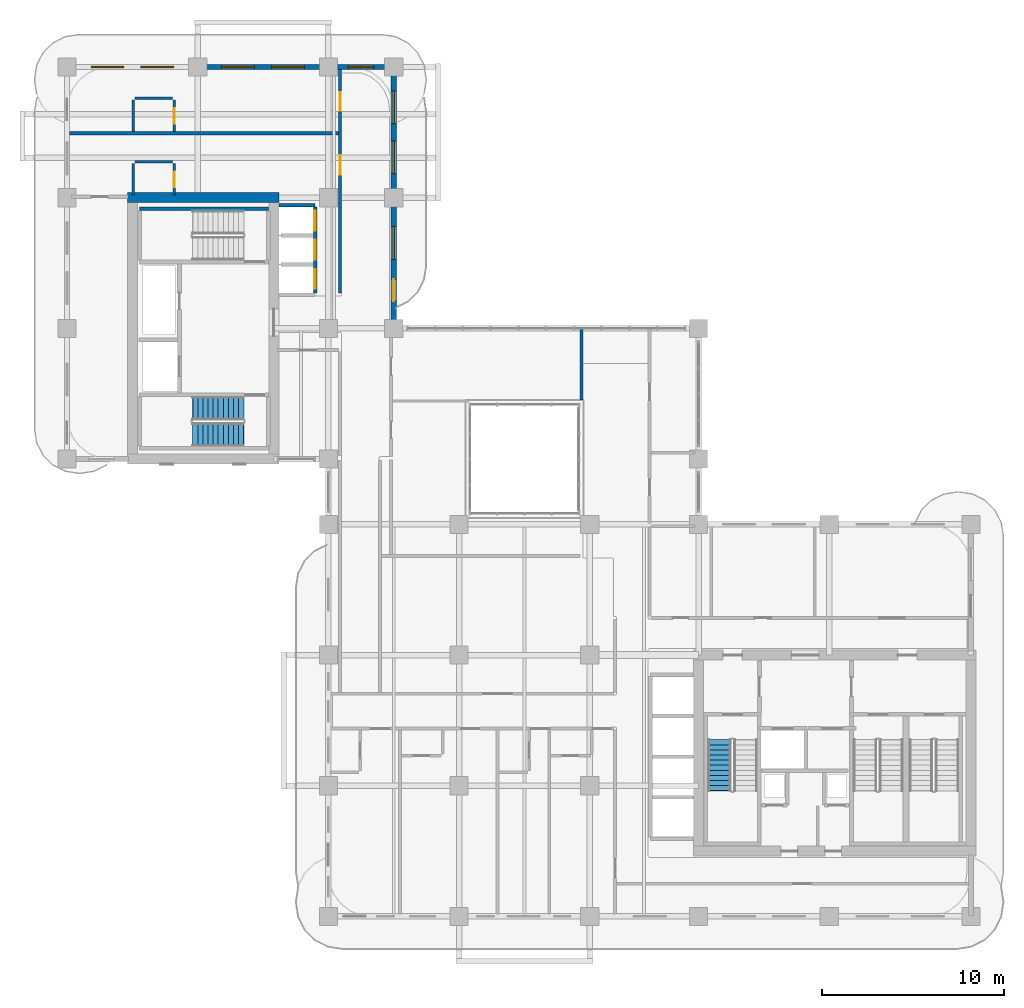
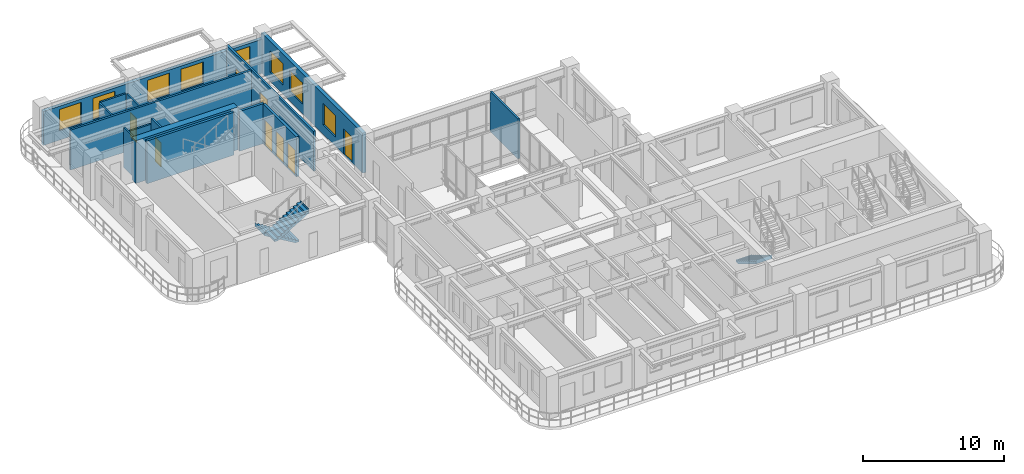
# One storey, part 15 of 20: 15 walls, 8 doors, 8 windows, 3 stair flights, 16 openings, 2 elements without a shape of their own.
"""IFC4 building model written with IfcOpenShell, lengths in metres."""

from ifc_helpers import new_model, si_unit, derived_unit, direction, frame, frame_2d, origin, place, context, subcontext, project, spatial, polyline, rectangle, outline, extrude, source, transform, mapped, material, layer, layer_set, type_object, type_shapes, element, fill, aggregate, save


model = new_model("IFC4")

# Units and contexts
model_context = context("Model", 3, precision=1e-05, world=origin(), true_north=direction((0.0, 1.0)))
body_context = subcontext(model_context, "Body", "Model", "MODEL_VIEW")
ifc_project = project(units=[si_unit("LENGTHUNIT", "METRE"), si_unit("AREAUNIT", "SQUARE_METRE"), si_unit("VOLUMEUNIT", "CUBIC_METRE"), si_unit("PLANEANGLEUNIT", "RADIAN"), si_unit("MASSUNIT", "GRAM", prefix="KILO"), si_unit("THERMODYNAMICTEMPERATUREUNIT", "KELVIN"), si_unit("POWERUNIT", "WATT"), derived_unit("THERMALTRANSMITTANCEUNIT", [(si_unit("POWERUNIT", "WATT"), 1), (si_unit("AREAUNIT", "SQUARE_METRE"), -1), (si_unit("THERMODYNAMICTEMPERATUREUNIT", "KELVIN"), -1)])], contexts=[model_context])

# Site, building, storey
site_placement = place(None, origin())
site = spatial("IfcSite", under=ifc_project, at=site_placement, CompositionType="ELEMENT")
building_placement = place(site_placement, origin())
building = spatial("IfcBuilding", under=site, at=building_placement, Name="Zahravan Archway Hotel and Residences", CompositionType="ELEMENT")
storey_placement = place(building_placement, frame((0.0, 0.0, 119.199951171875)))
storey = spatial("IfcBuildingStorey", under=building, at=storey_placement, Name="L29", CompositionType="ELEMENT", Elevation=119.199951171875)

# Wall
ifc_material_1 = material(Name="Concrete C70/85", Category="concrete")
ifc_layer_1 = layer(ifc_material_1, 0.550048828125, Name="Concrete C70/85", Category="concrete")
ifc_layer_set_1 = layer_set([ifc_layer_1], Name="Concrete C70/85")
wall_type_1 = type_object("IfcWallType", Name="CW-CORE-550", PredefinedType="SHEAR", material=ifc_layer_set_1)
wall_1_placement = place(storey_placement, frame((3.324951171875, 39.60009765625, 0.0), z_axis=(0.0, 0.0, 1.0), x_axis=(1.0, 0.0, 0.0)))
element("IfcWall", 1, at=wall_1_placement, inside=storey, type_object=wall_type_1, Name="L29 Core B Shear N Wall 550 mm", PredefinedType="SHEAR", context=body_context, shape_type="SweptSolid", body=[
    extrude(rectangle(XDim=8.35009765625, YDim=0.550048828125, at=frame_2d((4.175048828125, 0.0))), origin(), (0.0, 0.0, 1.0), 3.699951171875),
])

# Wall, openings, windows
ifc_material_2 = material(Name="Honed Red-Ochre Sandstone & Insulated Block", Category="masonry")
ifc_layer_2 = layer(ifc_material_2, 0.280029296875, Name="Honed Red-Ochre Sandstone & Insulated Block", Category="masonry")
ifc_layer_set_2 = layer_set([ifc_layer_2], Name="Honed Red-Ochre Sandstone & Insulated Block")
wall_type_2 = type_object("IfcWallType", Name="EW-LOG-280", PredefinedType="SOLIDWALL", material=ifc_layer_set_2)
wall_2_placement = place(storey_placement, frame((0.0, 46.800048828125, 0.0), z_axis=(0.0, 0.0, 1.0), x_axis=(1.0, 0.0, 0.0)))
wall_2 = element("IfcWall", 2, at=wall_2_placement, inside=storey, type_object=wall_type_2, Name="L29 Exterior Sandstone Wall WB-N", PredefinedType="SOLIDWALL", context=body_context, shape_type="SweptSolid", body=[
    extrude(rectangle(XDim=18.0, YDim=0.280029296875, at=frame_2d((9.0, 0.0))), origin(), (0.0, 0.0, 1.0), 2.93505859375),
])
opening_1_placement = place(wall_2_placement, frame((1.324951171875, 0.0, 0.800048828125)))
opening_1 = element("IfcOpeningElement", 3, at=opening_1_placement, cuts=wall_2, Name="Opening W-02", PredefinedType="OPENING", context=body_context, shape_type="SweptSolid", body=[
    extrude(rectangle(XDim=1.800048828125, YDim=1.85009765625, at=frame_2d((0.89990234375, 0.925048828125))), frame((0.0, 0.14990234375, 0.0), z_axis=(0.0, -1.0, 0.0), x_axis=(1.0, 0.0, 0.0)), (0.0, 0.0, 1.0), 0.300048828125),
])
opening_2_placement = place(wall_2_placement, frame((4.074951171875, 0.0, 0.800048828125)))
opening_2 = element("IfcOpeningElement", 4, at=opening_2_placement, cuts=wall_2, Name="Opening W-02", PredefinedType="OPENING", context=body_context, shape_type="SweptSolid", body=[
    extrude(rectangle(XDim=1.800048828125, YDim=1.85009765625, at=frame_2d((0.89990234375, 0.925048828125))), frame((0.0, 0.14990234375, 0.0), z_axis=(0.0, -1.0, 0.0), x_axis=(1.0, 0.0, 0.0)), (0.0, 0.0, 1.0), 0.300048828125),
])
opening_3_placement = place(wall_2_placement, frame((8.52490234375, 0.0, 0.800048828125)))
opening_3 = element("IfcOpeningElement", 5, at=opening_3_placement, cuts=wall_2, Name="Opening W-02", PredefinedType="OPENING", context=body_context, shape_type="SweptSolid", body=[
    extrude(rectangle(XDim=1.800048828125, YDim=1.85009765625, at=frame_2d((0.89990234375, 0.925048828125))), frame((0.0, 0.14990234375, 0.0), z_axis=(0.0, -1.0, 0.0), x_axis=(1.0, 0.0, 0.0)), (0.0, 0.0, 1.0), 0.300048828125),
])
opening_4_placement = place(wall_2_placement, frame((11.27490234375, 0.0, 0.800048828125)))
opening_4 = element("IfcOpeningElement", 6, at=opening_4_placement, cuts=wall_2, Name="Opening W-02", PredefinedType="OPENING", context=body_context, shape_type="SweptSolid", body=[
    extrude(rectangle(XDim=1.800048828125, YDim=1.85009765625, at=frame_2d((0.89990234375, 0.925048828125))), frame((0.0, 0.14990234375, 0.0), z_axis=(0.0, -1.0, 0.0), x_axis=(1.0, 0.0, 0.0)), (0.0, 0.0, 1.0), 0.300048828125),
])
opening_5_placement = place(wall_2_placement, frame((15.5, 0.0, 0.800048828125)))
opening_5 = element("IfcOpeningElement", 7, at=opening_5_placement, cuts=wall_2, Name="Opening W-03", PredefinedType="OPENING", context=body_context, shape_type="SweptSolid", body=[
    extrude(rectangle(XDim=1.39990234375, YDim=1.85009765625, at=frame_2d((0.699951171875, 0.925048828125))), frame((0.0, 0.14990234375, 0.0), z_axis=(0.0, -1.0, 0.0), x_axis=(1.0, 0.0, 0.0)), (0.0, 0.0, 1.0), 0.300048828125),
])
ifc_material_3 = material(Name="Bronze-Anodized Thermal-Break Aluminium & Low-E Glass", Category="aluminium")
window_type_1 = type_object("IfcWindowType", Name="WIN-TWR-1400", PartitioningType="SINGLE_PANEL", PredefinedType="WINDOW", material=ifc_material_3)
shared_shape_1 = source(origin(), body_context, "Body", "SweptSolid", [
    extrude(rectangle(XDim=1.39990234375, YDim=1.85009765625, at=frame_2d((0.699951171875, 0.925048828125))), frame((0.0, 0.030029296875, 0.0), z_axis=(0.0, -1.0, 0.0), x_axis=(1.0, 0.0, 0.0)), (0.0, 0.0, 1.0), 0.06005859375),
])
type_shapes(window_type_1, [shared_shape_1])
window_1_placement = place(opening_5_placement, origin())
window_1 = element("IfcWindow", 8, at=window_1_placement, inside=storey, type_object=window_type_1, Name="L29 Loggia Window 31", OverallHeight=1.85009765625, OverallWidth=1.39990234375, PartitioningType="SINGLE_PANEL", PredefinedType="WINDOW", context=body_context, shape_type="MappedRepresentation", body=[
    mapped(shared_shape_1, transform((0.0, 0.0, 0.0), scale=1.0)),
])
fill(opening_5, window_1)
window_type_2 = type_object("IfcWindowType", Name="WIN-TWR-1800", PartitioningType="DOUBLE_PANEL_VERTICAL", PredefinedType="WINDOW", material=ifc_material_3)
shared_shape_2 = source(origin(), body_context, "Body", "SweptSolid", [
    extrude(rectangle(XDim=1.800048828125, YDim=1.85009765625, at=frame_2d((0.89990234375, 0.925048828125))), frame((0.0, 0.030029296875, 0.0), z_axis=(0.0, -1.0, 0.0), x_axis=(1.0, 0.0, 0.0)), (0.0, 0.0, 1.0), 0.06005859375),
])
type_shapes(window_type_2, [shared_shape_2])
window_2_placement = place(opening_1_placement, origin())
window_2 = element("IfcWindow", 9, at=window_2_placement, inside=storey, type_object=window_type_2, Name="L29 Loggia Window 27", OverallHeight=1.85009765625, OverallWidth=1.800048828125, PartitioningType="DOUBLE_PANEL_VERTICAL", PredefinedType="WINDOW", context=body_context, shape_type="MappedRepresentation", body=[
    mapped(shared_shape_2, transform((0.0, 0.0, 0.0), scale=1.0)),
])
fill(opening_1, window_2)
window_3_placement = place(opening_2_placement, origin())
window_3 = element("IfcWindow", 10, at=window_3_placement, inside=storey, type_object=window_type_2, Name="L29 Loggia Window 28", OverallHeight=1.85009765625, OverallWidth=1.800048828125, PartitioningType="DOUBLE_PANEL_VERTICAL", PredefinedType="WINDOW", context=body_context, shape_type="MappedRepresentation", body=[
    mapped(shared_shape_2, transform((0.0, 0.0, 0.0), scale=1.0)),
])
fill(opening_2, window_3)
window_4_placement = place(opening_3_placement, origin())
window_4 = element("IfcWindow", 11, at=window_4_placement, inside=storey, type_object=window_type_2, Name="L29 Loggia Window 29", OverallHeight=1.85009765625, OverallWidth=1.800048828125, PartitioningType="DOUBLE_PANEL_VERTICAL", PredefinedType="WINDOW", context=body_context, shape_type="MappedRepresentation", body=[
    mapped(shared_shape_2, transform((0.0, 0.0, 0.0), scale=1.0)),
])
fill(opening_3, window_4)
window_5_placement = place(opening_4_placement, origin())
window_5 = element("IfcWindow", 12, at=window_5_placement, inside=storey, type_object=window_type_2, Name="L29 Loggia Window 30", OverallHeight=1.85009765625, OverallWidth=1.800048828125, PartitioningType="DOUBLE_PANEL_VERTICAL", PredefinedType="WINDOW", context=body_context, shape_type="MappedRepresentation", body=[
    mapped(shared_shape_2, transform((0.0, 0.0, 0.0), scale=1.0)),
])
fill(opening_4, window_5)

# Wall, openings, door, windows
wall_3_placement = place(storey_placement, frame((18.0, 32.39990234375, 0.0), z_axis=(0.0, 0.0, 1.0), x_axis=(0.0, 1.0, 0.0)))
wall_3 = element("IfcWall", 13, at=wall_3_placement, inside=storey, type_object=wall_type_2, Name="L29 Exterior Sandstone Wall WB-EU", PredefinedType="SOLIDWALL", context=body_context, shape_type="SweptSolid", body=[
    extrude(rectangle(XDim=14.35009765625, YDim=0.280029296875, at=frame_2d((7.175048828125, 0.0))), origin(), (0.0, 0.0, 1.0), 3.449951171875),
])
opening_6_placement = place(wall_3_placement, frame((1.5, 0.0, 0.0)))
opening_6 = element("IfcOpeningElement", 14, at=opening_6_placement, cuts=wall_3, Name="Opening ED-BL1", PredefinedType="OPENING", context=body_context, shape_type="SweptSolid", body=[
    extrude(rectangle(XDim=1.199951171875, YDim=2.199951171875, at=frame_2d((0.60009765625, 1.10009765625))), frame((0.0, 0.14990234375, 0.0), z_axis=(0.0, -1.0, 0.0), x_axis=(1.0, 0.0, 0.0)), (0.0, 0.0, 1.0), 0.300048828125),
])
opening_7_placement = place(wall_3_placement, frame((3.800048828125, 0.0, 0.800048828125)))
opening_7 = element("IfcOpeningElement", 15, at=opening_7_placement, cuts=wall_3, Name="Opening W-02", PredefinedType="OPENING", context=body_context, shape_type="SweptSolid", body=[
    extrude(rectangle(XDim=1.800048828125, YDim=1.85009765625, at=frame_2d((0.89990234375, 0.925048828125))), frame((0.0, 0.14990234375, 0.0), z_axis=(0.0, -1.0, 0.0), x_axis=(1.0, 0.0, 0.0)), (0.0, 0.0, 1.0), 0.300048828125),
])
opening_8_placement = place(wall_3_placement, frame((8.52490234375, 0.0, 0.800048828125)))
opening_8 = element("IfcOpeningElement", 16, at=opening_8_placement, cuts=wall_3, Name="Opening W-02", PredefinedType="OPENING", context=body_context, shape_type="SweptSolid", body=[
    extrude(rectangle(XDim=1.800048828125, YDim=1.85009765625, at=frame_2d((0.89990234375, 0.925048828125))), frame((0.0, 0.14990234375, 0.0), z_axis=(0.0, -1.0, 0.0), x_axis=(1.0, 0.0, 0.0)), (0.0, 0.0, 1.0), 0.300048828125),
])
opening_9_placement = place(wall_3_placement, frame((11.27490234375, 0.0, 0.800048828125)))
opening_9 = element("IfcOpeningElement", 17, at=opening_9_placement, cuts=wall_3, Name="Opening W-02", PredefinedType="OPENING", context=body_context, shape_type="SweptSolid", body=[
    extrude(rectangle(XDim=1.800048828125, YDim=1.85009765625, at=frame_2d((0.89990234375, 0.925048828125))), frame((0.0, 0.14990234375, 0.0), z_axis=(0.0, -1.0, 0.0), x_axis=(1.0, 0.0, 0.0)), (0.0, 0.0, 1.0), 0.300048828125),
])
ifc_material_4 = material(Name="Bronze-Anodized Glazed Aluminium", Category="aluminium")
door_type_1 = type_object("IfcDoorType", Name="ED-BALC-1200", OperationType="SLIDING_TO_LEFT", PredefinedType="DOOR", material=ifc_material_4)
shared_shape_3 = source(origin(), body_context, "Body", "SweptSolid", [
    extrude(rectangle(XDim=1.199951171875, YDim=2.199951171875, at=frame_2d((0.60009765625, 1.10009765625))), frame((0.0, 0.02490234375, 0.0), z_axis=(0.0, -1.0, 0.0), x_axis=(1.0, 0.0, 0.0)), (0.0, 0.0, 1.0), 0.050048828125),
])
type_shapes(door_type_1, [shared_shape_3])
door_1_placement = place(opening_6_placement, origin())
door_1 = element("IfcDoor", 18, at=door_1_placement, inside=storey, type_object=door_type_1, Name="L29 Outdoor Access Sliding Door (SLB-BAL-L29-EB)", OperationType="SLIDING_TO_LEFT", OverallHeight=2.199951171875, OverallWidth=1.199951171875, PredefinedType="DOOR", context=body_context, shape_type="MappedRepresentation", body=[
    mapped(shared_shape_3, transform((0.0, 0.0, 0.0), scale=1.0)),
])
fill(opening_6, door_1)
window_6_placement = place(opening_7_placement, origin())
window_6 = element("IfcWindow", 19, at=window_6_placement, inside=storey, type_object=window_type_2, Name="L29 Loggia Window 32", OverallHeight=1.85009765625, OverallWidth=1.800048828125, PartitioningType="DOUBLE_PANEL_VERTICAL", PredefinedType="WINDOW", context=body_context, shape_type="MappedRepresentation", body=[
    mapped(shared_shape_2, transform((0.0, 0.0, 0.0), scale=1.0)),
])
fill(opening_7, window_6)
window_7_placement = place(opening_8_placement, origin())
window_7 = element("IfcWindow", 20, at=window_7_placement, inside=storey, type_object=window_type_2, Name="L29 Loggia Window 33", OverallHeight=1.85009765625, OverallWidth=1.800048828125, PartitioningType="DOUBLE_PANEL_VERTICAL", PredefinedType="WINDOW", context=body_context, shape_type="MappedRepresentation", body=[
    mapped(shared_shape_2, transform((0.0, 0.0, 0.0), scale=1.0)),
])
fill(opening_8, window_7)
window_8_placement = place(opening_9_placement, origin())
window_8 = element("IfcWindow", 21, at=window_8_placement, inside=storey, type_object=window_type_2, Name="L29 Loggia Window 34", OverallHeight=1.85009765625, OverallWidth=1.800048828125, PartitioningType="DOUBLE_PANEL_VERTICAL", PredefinedType="WINDOW", context=body_context, shape_type="MappedRepresentation", body=[
    mapped(shared_shape_2, transform((0.0, 0.0, 0.0), scale=1.0)),
])
fill(opening_9, window_8)

# Wall, openings, doors
ifc_material_5 = material(Name="Fire-Rated Gypsum & Concrete Block", Category="concrete")
ifc_layer_3 = layer(ifc_material_5, 0.159912109375, Name="Fire-Rated Gypsum & Concrete Block", Category="concrete")
ifc_layer_set_3 = layer_set([ifc_layer_3], Name="Fire-Rated Gypsum & Concrete Block")
wall_type_3 = type_object("IfcWallType", Name="PW-CORR-160", PredefinedType="PARTITIONING", material=ifc_layer_set_3)
wall_4_placement = place(storey_placement, frame((15.050048828125, 34.340087890625, 0.0), z_axis=(0.0, 0.0, 1.0), x_axis=(0.0, 1.0, 0.0)))
wall_4 = element("IfcWall", 22, at=wall_4_placement, inside=storey, type_object=wall_type_3, Name="L29 Partition WBN-C", PredefinedType="PARTITIONING", context=body_context, shape_type="SweptSolid", body=[
    extrude(rectangle(XDim=12.31201171875, YDim=0.159912109375, at=frame_2d((6.156005859375, 0.0))), origin(), (0.0, 0.0, 1.0), 3.449951171875),
])
opening_10_placement = place(wall_4_placement, frame((6.534912109375, 0.0, 0.0)))
opening_10 = element("IfcOpeningElement", 23, at=opening_10_placement, cuts=wall_4, Name="Opening D-U1", PredefinedType="OPENING", context=body_context, shape_type="SweptSolid", body=[
    extrude(rectangle(XDim=1.050048828125, YDim=2.25, at=frame_2d((0.52490234375, 1.125))), frame((0.0, 0.08984375, 0.0), z_axis=(0.0, -1.0, 0.0), x_axis=(1.0, 0.0, 0.0)), (0.0, 0.0, 1.0), 0.179931640625),
])
opening_11_placement = place(wall_4_placement, frame((10.06005859375, 0.0, 0.0)))
opening_11 = element("IfcOpeningElement", 24, at=opening_11_placement, cuts=wall_4, Name="Opening D-U2", PredefinedType="OPENING", context=body_context, shape_type="SweptSolid", body=[
    extrude(rectangle(XDim=1.0, YDim=2.199951171875, at=frame_2d((0.5, 1.10009765625))), frame((0.0, 0.08984375, 0.0), z_axis=(0.0, -1.0, 0.0), x_axis=(1.0, 0.0, 0.0)), (0.0, 0.0, 1.0), 0.179931640625),
])
ifc_material_6 = material(Name="Hardwood Veneer Timber", Category="wood")
door_type_2 = type_object("IfcDoorType", Name="ID-UNIT-1050", OperationType="NOTDEFINED", PredefinedType="DOOR", material=ifc_material_6)
shared_shape_4 = source(origin(), body_context, "Body", "SweptSolid", [
    extrude(rectangle(XDim=1.050048828125, YDim=2.25, at=frame_2d((0.52490234375, 1.125))), frame((0.0, 0.02490234375, 0.0), z_axis=(0.0, -1.0, 0.0), x_axis=(1.0, 0.0, 0.0)), (0.0, 0.0, 1.0), 0.050048828125),
])
type_shapes(door_type_2, [shared_shape_4])
door_2_placement = place(opening_10_placement, origin())
door_2 = element("IfcDoor", 25, at=door_2_placement, inside=storey, type_object=door_type_2, Name="L29 Hotel Guestroom 76 Entrance Door", OperationType="SINGLE_SWING_RIGHT", OverallHeight=2.25, OverallWidth=1.050048828125, PredefinedType="DOOR", context=body_context, shape_type="MappedRepresentation", body=[
    mapped(shared_shape_4, transform((0.0, 0.0, 0.0), scale=1.0)),
])
fill(opening_10, door_2)
door_type_3 = type_object("IfcDoorType", Name="ID-UNIT-1000", OperationType="NOTDEFINED", PredefinedType="DOOR", material=ifc_material_6)
shared_shape_5 = source(origin(), body_context, "Body", "SweptSolid", [
    extrude(rectangle(XDim=1.0, YDim=2.199951171875, at=frame_2d((0.5, 1.10009765625))), frame((0.0, 0.02490234375, 0.0), z_axis=(0.0, -1.0, 0.0), x_axis=(1.0, 0.0, 0.0)), (0.0, 0.0, 1.0), 0.050048828125),
])
type_shapes(door_type_3, [shared_shape_5])
door_3_placement = place(opening_11_placement, origin())
door_3 = element("IfcDoor", 26, at=door_3_placement, inside=storey, type_object=door_type_3, Name="L29 Hotel Guestroom 77 Entrance Door", OperationType="SINGLE_SWING_LEFT", OverallHeight=2.199951171875, OverallWidth=1.0, PredefinedType="DOOR", context=body_context, shape_type="MappedRepresentation", body=[
    mapped(shared_shape_5, transform((0.0, 0.0, 0.0), scale=1.0)),
])
fill(opening_11, door_3)

# Walls
wall_5_placement = place(storey_placement, frame((28.35009765625, 28.43994140625, 0.0), z_axis=(0.0, 0.0, 1.0), x_axis=(0.0, 1.0, 0.0)))
element("IfcWall", 27, at=wall_5_placement, inside=storey, type_object=wall_type_3, Name="L29 Partition ATR-NWE", PredefinedType="PARTITIONING", context=body_context, shape_type="SweptSolid", body=[
    extrude(rectangle(XDim=3.93212890625, YDim=0.159912109375, at=frame_2d((1.966064453125, 0.0))), origin(), (0.0, 0.0, 1.0), 3.449951171875),
])
ifc_layer_4 = layer(ifc_material_5, 0.199951171875, Name="Fire-Rated Gypsum & Concrete Block", Category="concrete")
ifc_layer_set_4 = layer_set([ifc_layer_4], Name="Fire-Rated Gypsum & Concrete Block")
wall_type_4 = type_object("IfcWallType", Name="PW-SHAFT-200", PredefinedType="PARTITIONING", material=ifc_layer_set_4)
wall_6_placement = place(storey_placement, frame((11.68505859375, 39.18994140625, 0.0), z_axis=(0.0, 0.0, 1.0), x_axis=(1.0, 0.0, 0.0)))
element("IfcWall", 28, at=wall_6_placement, inside=storey, type_object=wall_type_4, Name="L29 Partition B2-N", PredefinedType="PARTITIONING", context=body_context, shape_type="SweptSolid", body=[
    extrude(rectangle(XDim=1.98486328125, YDim=0.199951171875, at=frame_2d((0.992431640625, 0.0))), origin(), (0.0, 0.0, 1.0), 3.449951171875),
])

# Wall, openings, doors
wall_7_placement = place(storey_placement, frame((13.679931640625, 34.360107421875, 0.0), z_axis=(0.0, 0.0, 1.0), x_axis=(0.0, 1.0, 0.0)))
wall_7 = element("IfcWall", 29, at=wall_7_placement, inside=storey, type_object=wall_type_4, Name="L29 Partition B2-E", PredefinedType="PARTITIONING", context=body_context, shape_type="SweptSolid", body=[
    extrude(rectangle(XDim=4.719970703125, YDim=0.199951171875, at=frame_2d((2.35986328125, 0.0))), origin(), (0.0, 0.0, 1.0), 3.449951171875),
])
opening_12_placement = place(wall_7_placement, frame((0.2099609375, 0.0, 0.0)))
opening_12 = element("IfcOpeningElement", 30, at=opening_12_placement, cuts=wall_7, Name="Opening LD", PredefinedType="OPENING", context=body_context, shape_type="SweptSolid", body=[
    extrude(rectangle(XDim=1.10009765625, YDim=2.199951171875, at=frame_2d((0.550048828125, 1.10009765625))), frame((0.0, 0.10986328125, 0.0), z_axis=(0.0, -1.0, 0.0), x_axis=(1.0, 0.0, 0.0)), (0.0, 0.0, 1.0), 0.219970703125),
])
opening_13_placement = place(wall_7_placement, frame((1.81005859375, 0.0, 0.0)))
opening_13 = element("IfcOpeningElement", 31, at=opening_13_placement, cuts=wall_7, Name="Opening LD", PredefinedType="OPENING", context=body_context, shape_type="SweptSolid", body=[
    extrude(rectangle(XDim=1.10009765625, YDim=2.199951171875, at=frame_2d((0.550048828125, 1.10009765625))), frame((0.0, 0.10986328125, 0.0), z_axis=(0.0, -1.0, 0.0), x_axis=(1.0, 0.0, 0.0)), (0.0, 0.0, 1.0), 0.219970703125),
])
opening_14_placement = place(wall_7_placement, frame((3.409912109375, 0.0, 0.0)))
opening_14 = element("IfcOpeningElement", 32, at=opening_14_placement, cuts=wall_7, Name="Opening LD", PredefinedType="OPENING", context=body_context, shape_type="SweptSolid", body=[
    extrude(rectangle(XDim=1.10009765625, YDim=2.199951171875, at=frame_2d((0.550048828125, 1.10009765625))), frame((0.0, 0.10986328125, 0.0), z_axis=(0.0, -1.0, 0.0), x_axis=(1.0, 0.0, 0.0)), (0.0, 0.0, 1.0), 0.219970703125),
])
ifc_material_7 = material(Name="Brushed Stainless Steel", Category="steel")
door_type_4 = type_object("IfcDoorType", Name="DR-LIFT-LD", OperationType="SLIDING_TO_LEFT", PredefinedType="DOOR", material=ifc_material_7)
shared_shape_6 = source(origin(), body_context, "Body", "SweptSolid", [
    extrude(rectangle(XDim=1.10009765625, YDim=2.199951171875, at=frame_2d((0.550048828125, 1.10009765625))), frame((0.0, 0.02490234375, 0.0), z_axis=(0.0, -1.0, 0.0), x_axis=(1.0, 0.0, 0.0)), (0.0, 0.0, 1.0), 0.050048828125),
])
type_shapes(door_type_4, [shared_shape_6])
door_4_placement = place(opening_12_placement, origin())
door_4 = element("IfcDoor", 33, at=door_4_placement, inside=storey, type_object=door_type_4, Name="L29 Lift LP-4 Sliding Landing Door", OperationType="SLIDING_TO_LEFT", OverallHeight=2.199951171875, OverallWidth=1.10009765625, PredefinedType="DOOR", context=body_context, shape_type="MappedRepresentation", body=[
    mapped(shared_shape_6, transform((0.0, 0.0, 0.0), scale=1.0)),
])
fill(opening_12, door_4)
door_5_placement = place(opening_13_placement, origin())
door_5 = element("IfcDoor", 34, at=door_5_placement, inside=storey, type_object=door_type_4, Name="L29 Lift LP-5 Sliding Landing Door", OperationType="SLIDING_TO_LEFT", OverallHeight=2.199951171875, OverallWidth=1.10009765625, PredefinedType="DOOR", context=body_context, shape_type="MappedRepresentation", body=[
    mapped(shared_shape_6, transform((0.0, 0.0, 0.0), scale=1.0)),
])
fill(opening_13, door_5)
door_6_placement = place(opening_14_placement, origin())
door_6 = element("IfcDoor", 35, at=door_6_placement, inside=storey, type_object=door_type_4, Name="L29 Lift LP-6 Sliding Landing Door", OperationType="SLIDING_TO_LEFT", OverallHeight=2.199951171875, OverallWidth=1.10009765625, PredefinedType="DOOR", context=body_context, shape_type="MappedRepresentation", body=[
    mapped(shared_shape_6, transform((0.0, 0.0, 0.0), scale=1.0)),
])
fill(opening_14, door_6)

# Walls
ifc_material_8 = material(Name="Acoustic Stud Partition")
ifc_layer_5 = layer(ifc_material_8, 0.169921875, Name="Acoustic Stud Partition")
ifc_layer_set_5 = layer_set([ifc_layer_5], Name="Acoustic Stud Partition")
wall_type_5 = type_object("IfcWallType", Name="PW-UNIT-170", PredefinedType="PARTITIONING", material=ifc_layer_set_5)
wall_8_placement = place(storey_placement, frame((0.14794921875, 43.14990234375, 0.0), z_axis=(0.0, 0.0, 1.0), x_axis=(1.0, 0.0, 0.0)))
element("IfcWall", 36, at=wall_8_placement, inside=storey, type_object=wall_type_5, Name="L29 Partition WBN-M0", PredefinedType="PARTITIONING", context=body_context, shape_type="SweptSolid", body=[
    extrude(rectangle(XDim=14.81201171875, YDim=0.169921875, at=frame_2d((7.406005859375, 0.0))), origin(), (0.0, 0.0, 1.0), 3.449951171875),
])
ifc_material_9 = material(Name="Moisture-Resistant Blockwork", Category="masonry")
ifc_layer_6 = layer(ifc_material_9, 0.139892578125, Name="Moisture-Resistant Blockwork", Category="masonry")
ifc_layer_set_6 = layer_set([ifc_layer_6], Name="Moisture-Resistant Blockwork")
wall_type_6 = type_object("IfcWallType", Name="PW-WET-140", PredefinedType="PARTITIONING", material=ifc_layer_set_6)
wall_9_placement = place(storey_placement, frame((3.64990234375, 39.739990234375, 0.0), z_axis=(0.0, 0.0, 1.0), x_axis=(0.0, 1.0, 0.0)))
element("IfcWall", 37, at=wall_9_placement, inside=storey, type_object=wall_type_6, Name="L29 Partition HKB-VL76", PredefinedType="PARTITIONING", context=body_context, shape_type="SweptSolid", body=[
    extrude(rectangle(XDim=1.7451171875, YDim=0.139892578125, at=frame_2d((0.87255859375, 0.0))), origin(), (0.0, 0.0, 1.0), 3.449951171875),
])
wall_10_placement = place(storey_placement, frame((3.739990234375, 41.574951171875, 0.0), z_axis=(0.0, 0.0, 1.0), x_axis=(1.0, 0.0, 0.0)))
element("IfcWall", 38, at=wall_10_placement, inside=storey, type_object=wall_type_6, Name="L29 Partition HKB-H76", PredefinedType="PARTITIONING", context=body_context, shape_type="SweptSolid", body=[
    extrude(rectangle(XDim=2.070068359375, YDim=0.139892578125, at=frame_2d((1.03515625, 0.0))), origin(), (0.0, 0.0, 1.0), 2.93505859375),
])

# Wall, opening, door
wall_11_placement = place(storey_placement, frame((5.89990234375, 39.739990234375, 0.0), z_axis=(0.0, 0.0, 1.0), x_axis=(0.0, 1.0, 0.0)))
wall_11 = element("IfcWall", 39, at=wall_11_placement, inside=storey, type_object=wall_type_6, Name="L29 Partition HKB-V76", PredefinedType="PARTITIONING", context=body_context, shape_type="SweptSolid", body=[
    extrude(rectangle(XDim=1.7451171875, YDim=0.139892578125, at=frame_2d((0.87255859375, 0.0))), origin(), (0.0, 0.0, 1.0), 3.449951171875),
])
opening_15_placement = place(wall_11_placement, frame((0.447509765625, 0.0, 0.0)))
opening_15 = element("IfcOpeningElement", 40, at=opening_15_placement, cuts=wall_11, Name="Opening D-B1", PredefinedType="OPENING", context=body_context, shape_type="SweptSolid", body=[
    extrude(rectangle(XDim=0.85009765625, YDim=2.10009765625, at=frame_2d((0.425048828125, 1.050048828125))), frame((0.0, 0.080078125, 0.0), z_axis=(0.0, -1.0, 0.0), x_axis=(1.0, 0.0, 0.0)), (0.0, 0.0, 1.0), 0.159912109375),
])
door_type_5 = type_object("IfcDoorType", Name="ID-BATH-850", OperationType="NOTDEFINED", PredefinedType="DOOR", material=ifc_material_6)
shared_shape_7 = source(origin(), body_context, "Body", "SweptSolid", [
    extrude(rectangle(XDim=0.85009765625, YDim=2.10009765625, at=frame_2d((0.425048828125, 1.050048828125))), frame((0.0, 0.02490234375, 0.0), z_axis=(0.0, -1.0, 0.0), x_axis=(1.0, 0.0, 0.0)), (0.0, 0.0, 1.0), 0.050048828125),
])
type_shapes(door_type_5, [shared_shape_7])
door_7_placement = place(opening_15_placement, origin())
door_7 = element("IfcDoor", 41, at=door_7_placement, inside=storey, type_object=door_type_5, Name="L29 Guestroom 76 En-Suite Door", OperationType="SINGLE_SWING_RIGHT", OverallHeight=2.10009765625, OverallWidth=0.85009765625, PredefinedType="DOOR", context=body_context, shape_type="MappedRepresentation", body=[
    mapped(shared_shape_7, transform((0.0, 0.0, 0.0), scale=1.0)),
])
fill(opening_15, door_7)

# Walls
wall_12_placement = place(storey_placement, frame((3.64990234375, 43.239990234375, 0.0), z_axis=(0.0, 0.0, 1.0), x_axis=(0.0, 1.0, 0.0)))
element("IfcWall", 42, at=wall_12_placement, inside=storey, type_object=wall_type_6, Name="L29 Partition HKB-VL77", PredefinedType="PARTITIONING", context=body_context, shape_type="SweptSolid", body=[
    extrude(rectangle(XDim=1.7451171875, YDim=0.139892578125, at=frame_2d((0.87255859375, 0.0))), origin(), (0.0, 0.0, 1.0), 3.449951171875),
])
wall_13_placement = place(storey_placement, frame((3.739990234375, 45.074951171875, 0.0), z_axis=(0.0, 0.0, 1.0), x_axis=(1.0, 0.0, 0.0)))
element("IfcWall", 43, at=wall_13_placement, inside=storey, type_object=wall_type_6, Name="L29 Partition HKB-H77", PredefinedType="PARTITIONING", context=body_context, shape_type="SweptSolid", body=[
    extrude(rectangle(XDim=2.070068359375, YDim=0.139892578125, at=frame_2d((1.03515625, 0.0))), origin(), (0.0, 0.0, 1.0), 3.449951171875),
])

# Wall, opening, door
wall_14_placement = place(storey_placement, frame((5.89990234375, 43.239990234375, 0.0), z_axis=(0.0, 0.0, 1.0), x_axis=(0.0, 1.0, 0.0)))
wall_14 = element("IfcWall", 44, at=wall_14_placement, inside=storey, type_object=wall_type_6, Name="L29 Partition HKB-V77", PredefinedType="PARTITIONING", context=body_context, shape_type="SweptSolid", body=[
    extrude(rectangle(XDim=1.7451171875, YDim=0.139892578125, at=frame_2d((0.87255859375, 0.0))), origin(), (0.0, 0.0, 1.0), 3.449951171875),
])
opening_16_placement = place(wall_14_placement, frame((0.447509765625, 0.0, 0.0)))
opening_16 = element("IfcOpeningElement", 45, at=opening_16_placement, cuts=wall_14, Name="Opening D-B1", PredefinedType="OPENING", context=body_context, shape_type="SweptSolid", body=[
    extrude(rectangle(XDim=0.85009765625, YDim=2.10009765625, at=frame_2d((0.425048828125, 1.050048828125))), frame((0.0, 0.080078125, 0.0), z_axis=(0.0, -1.0, 0.0), x_axis=(1.0, 0.0, 0.0)), (0.0, 0.0, 1.0), 0.159912109375),
])
door_8_placement = place(opening_16_placement, origin())
door_8 = element("IfcDoor", 46, at=door_8_placement, inside=storey, type_object=door_type_5, Name="L29 Guestroom 77 En-Suite Door", OperationType="SINGLE_SWING_RIGHT", OverallHeight=2.10009765625, OverallWidth=0.85009765625, PredefinedType="DOOR", context=body_context, shape_type="MappedRepresentation", body=[
    mapped(shared_shape_7, transform((0.0, 0.0, 0.0), scale=1.0)),
])
fill(opening_16, door_8)

# Wall
ifc_material_10 = material(Name="Concrete C50/60", Category="concrete")
ifc_layer_7 = layer(ifc_material_10, 0.199951171875, Name="Concrete C50/60", Category="concrete")
ifc_layer_set_7 = layer_set([ifc_layer_7], Name="Concrete C50/60")
wall_type_7 = type_object("IfcWallType", Name="SW-STAIR-200", PredefinedType="SHEAR", material=ifc_layer_set_7)
wall_15_placement = place(storey_placement, frame((4.0, 39.0, 0.0), z_axis=(0.0, 0.0, 1.0), x_axis=(1.0, 0.0, 0.0)))
element("IfcWall", 47, at=wall_15_placement, inside=storey, type_object=wall_type_7, Name="L29 Stairwell RC Wall CB-SB2N", PredefinedType="SHEAR", context=body_context, shape_type="SweptSolid", body=[
    extrude(rectangle(XDim=7.10009765625, YDim=0.199951171875, at=frame_2d((3.550048828125, 0.0))), origin(), (0.0, 0.0, 1.0), 3.699951171875),
])

# Stair, stair flight
stair_type = type_object("IfcStairType", Name="STR-CORE-1300", PredefinedType="HALF_TURN_STAIR", material=ifc_material_10)
stair_1_placement = place(storey_placement, origin())
stair_1 = element("IfcStair", 48, at=stair_1_placement, inside=storey, type_object=stair_type, Name="L29 Core A Exit Stair 1", PredefinedType="HALF_TURN_STAIR")
ifc_layer_8 = layer(ifc_material_10, 0.199951171875, Name="Concrete C50/60", Category="concrete")
ifc_layer_set_8 = layer_set([ifc_layer_8], Name="Concrete C50/60")
stair_flight_type = type_object("IfcStairFlightType", Name="SFL-CORE-1300", PredefinedType="STRAIGHT", material=ifc_layer_set_8)
shared_shape_8 = source(origin(), body_context, "Body", "SweptSolid", [
    extrude(outline(polyline([(-0.01611328125, 0.0), (-0.01611328125, 0.168212890625), (0.280029296875, 0.168212890625), (0.280029296875, 0.33642578125), (0.56005859375, 0.33642578125), (0.56005859375, 0.504638671875), (0.840087890625, 0.504638671875), (0.840087890625, 0.672607421875), (1.1201171875, 0.672607421875), (1.1201171875, 0.8408203125), (1.39990234375, 0.8408203125), (1.39990234375, 1.009033203125), (1.679931640625, 1.009033203125), (1.679931640625, 1.17724609375), (1.9599609375, 1.17724609375), (1.9599609375, 1.345458984375), (2.239990234375, 1.345458984375), (2.239990234375, 1.513671875), (2.52001953125, 1.513671875), (2.52001953125, 1.681884765625), (2.800048828125, 1.681884765625), (2.800048828125, 1.85009765625), (2.816162109375, 1.85009765625), (2.816162109375, 1.5068359375), (0.291015625, 0.0), (-0.01611328125, 0.0)])), frame((0.0, 0.64990234375, 0.0), z_axis=(0.0, -1.0, 0.0), x_axis=(1.0, 0.0, 0.0)), (0.0, 0.0, 1.0), 1.300048828125),
])
stair_flight_1_placement = place(storey_placement, frame((35.949951171875, 9.72998046875, 0.0), z_axis=(0.0, 0.0, 1.0), x_axis=(0.0, -1.0, 0.0)))
stair_flight_1 = element("IfcStairFlight", 49, at=stair_flight_1_placement, type_object=stair_flight_type, Name="ST-A1 flight 1", NumberOfRisers=11, NumberOfTreads=10, PredefinedType="STRAIGHT", RiserHeight=0.168181818, TreadLength=0.28, context=body_context, shape_type="MappedRepresentation", body=[
    mapped(shared_shape_8, transform((0.0, 0.0, 0.0), scale=1.0)),
])
aggregate(stair_1, [stair_flight_1])

# Stair, stair flights
stair_2_placement = place(storey_placement, origin())
stair_2 = element("IfcStair", 50, at=stair_2_placement, inside=storey, type_object=stair_type, Name="L29 Core B Exit Stair 1", PredefinedType="HALF_TURN_STAIR")
stair_flight_2_placement = place(storey_placement, frame((9.72998046875, 27.989990234375, 0.0), z_axis=(0.0, 0.0, 1.0), x_axis=(-1.0, 0.0, 0.0)))
stair_flight_2 = element("IfcStairFlight", 51, at=stair_flight_2_placement, type_object=stair_flight_type, Name="ST-B1 flight 1", NumberOfRisers=11, NumberOfTreads=10, PredefinedType="STRAIGHT", RiserHeight=0.168181818, TreadLength=0.28, context=body_context, shape_type="MappedRepresentation", body=[
    mapped(shared_shape_8, transform((0.0, 0.0, 0.0), scale=1.0)),
])
stair_flight_3_placement = place(storey_placement, frame((6.929931640625, 26.550048828125, 1.85009765625), z_axis=(0.0, 0.0, 1.0), x_axis=(1.0, 0.0, 0.0)))
stair_flight_3 = element("IfcStairFlight", 52, at=stair_flight_3_placement, type_object=stair_flight_type, Name="ST-B1 flight 2", NumberOfRisers=11, NumberOfTreads=10, PredefinedType="STRAIGHT", RiserHeight=0.168181818, TreadLength=0.28, context=body_context, shape_type="MappedRepresentation", body=[
    mapped(shared_shape_8, transform((0.0, 0.0, 0.0), scale=1.0)),
])
aggregate(stair_2, [stair_flight_2, stair_flight_3])

save(model, "model.ifc")
